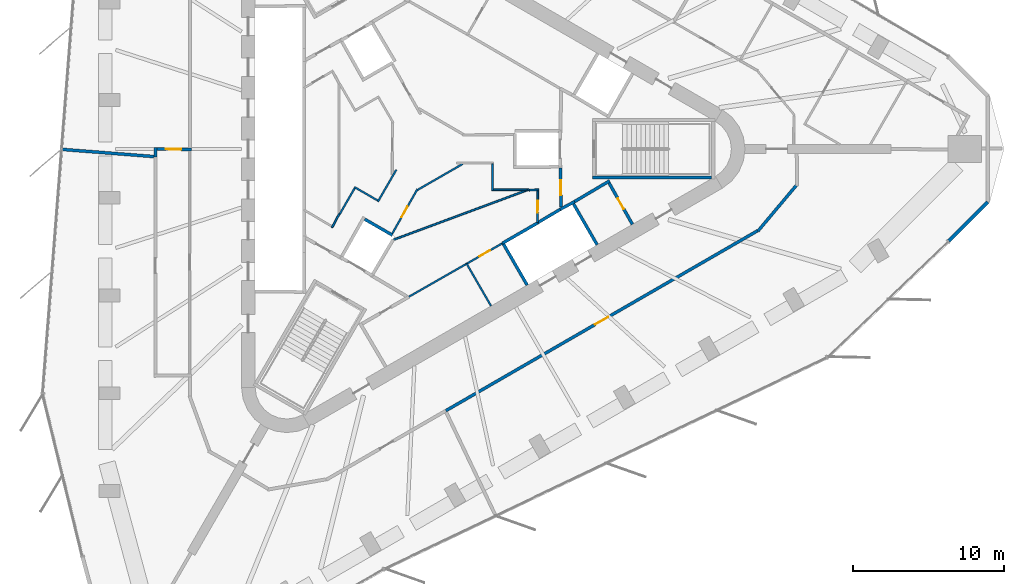
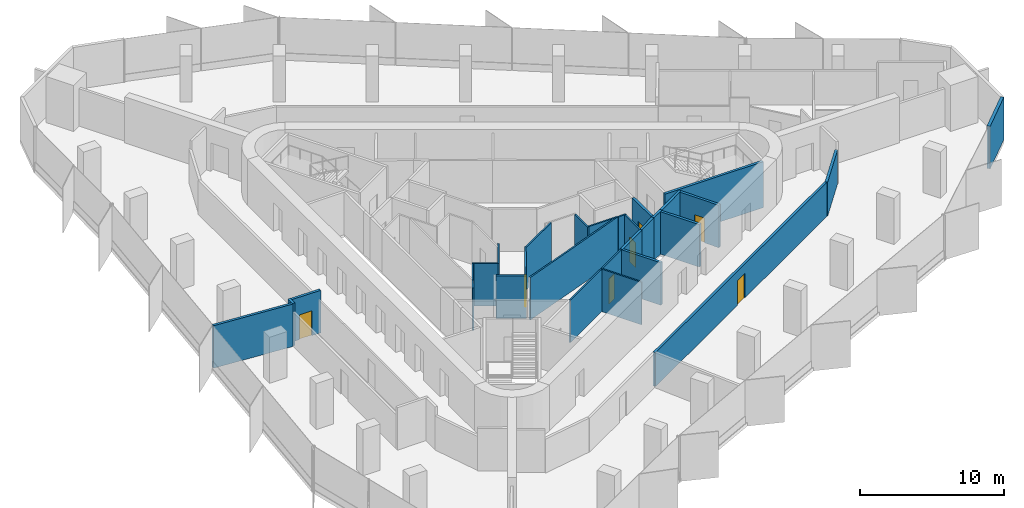
# One storey, part 9 of 14: 29 walls, 7 doors, 7 openings.
"""IFC4 building model written with IfcOpenShell, lengths in metres."""

from ifc_helpers import new_model, si_unit, direction, frame, frame_2d, origin, place, context, subcontext, project, spatial, rectangle, extrude, material, layer, layer_set, type_object, element, fill, save


model = new_model("IFC4")

# Units and contexts
model_context = context("Model", 3, precision=1e-05, world=origin(), true_north=direction((0.0, 1.0)))
body_context = subcontext(model_context, "Body", "Model", "MODEL_VIEW")
ifc_project = project(units=[si_unit("LENGTHUNIT", "METRE"), si_unit("AREAUNIT", "SQUARE_METRE"), si_unit("VOLUMEUNIT", "CUBIC_METRE"), si_unit("PLANEANGLEUNIT", "RADIAN"), si_unit("MASSUNIT", "GRAM", prefix="KILO")], contexts=[model_context])

# Site, building, storey
site_placement = place(None, origin())
site = spatial("IfcSite", under=ifc_project, at=site_placement, CompositionType="ELEMENT")
building_placement = place(site_placement, origin())
building = spatial("IfcBuilding", under=site, at=building_placement, Name="Tanit Gate Tower", CompositionType="ELEMENT")
storey_placement = place(building_placement, frame((0.0, 0.0, 298.699951171875)))
storey = spatial("IfcBuildingStorey", under=building, at=storey_placement, Name="L66", CompositionType="ELEMENT", Elevation=298.699951171875)

# Walls
ifc_material_1 = material(Name="Concrete C30/37 with bronze anodised aluminium cladding", Category="concrete")
ifc_layer_1 = layer(ifc_material_1, 0.239990234375)
ifc_layer_set_1 = layer_set([ifc_layer_1], Name="Facade wall bronze clad 240")
wall_type_1 = type_object("IfcWallType", Name="Facade wall bronze clad 240", PredefinedType="SOLIDWALL", material=ifc_layer_set_1)
wall_1_placement = place(storey_placement, frame((34.6767578125, -6.097900390625, 0.0), z_axis=(0.0, 0.0, 1.0), x_axis=(0.707106781187, 0.707106781187, 0.0)))
element("IfcWall", 1, at=wall_1_placement, inside=storey, type_object=wall_type_1, Name="Bronze-clad facade wall L66 E.arc1", PredefinedType="SOLIDWALL", context=body_context, shape_type="SweptSolid", body=[
    extrude(rectangle(XDim=3.66259765625, YDim=0.239990234375, at=frame_2d((1.831298828125, 0.0))), origin(), (0.0, 0.0, 1.0), 3.60009765625),
])
ifc_material_2 = material(Name="Fire-rated gypsum board partition")
ifc_layer_2 = layer(ifc_material_2, 0.199951171875)
ifc_layer_set_2 = layer_set([ifc_layer_2], Name="INT-WALL-COMPARTMENT")
wall_type_2 = type_object("IfcWallType", Name="INT-WALL-COMPARTMENT", PredefinedType="PARTITIONING", material=ifc_layer_set_2)
wall_2_placement = place(storey_placement, frame((12.244873046875, -2.10888671875, 0.0), z_axis=(0.0, 0.0, 1.0), x_axis=(-0.860414880418, -0.509594185166, 0.0)))
element("IfcWall", 2, at=wall_2_placement, inside=storey, type_object=wall_type_2, Name="Wall Compartment W057", PredefinedType="PARTITIONING", context=body_context, shape_type="SweptSolid", body=[
    extrude(rectangle(XDim=2.7001953125, YDim=0.199951171875, at=frame_2d((1.35009765625, 0.0))), origin(), (0.0, 0.0, 1.0), 3.60009765625),
])

# Wall, opening, door
wall_3_placement = place(storey_placement, frame((13.758056640625, -4.989501953125, 0.0), z_axis=(0.0, 0.0, 1.0), x_axis=(-0.491993409184, 0.87059892334, 0.0)))
wall_3 = element("IfcWall", 3, at=wall_3_placement, inside=storey, type_object=wall_type_2, Name="Wall Compartment W058", PredefinedType="PARTITIONING", context=body_context, shape_type="SweptSolid", body=[
    extrude(rectangle(XDim=3.150146484375, YDim=0.199951171875, at=frame_2d((1.5751953125, 0.0))), origin(), (0.0, 0.0, 1.0), 3.60009765625),
])
opening_1_placement = place(wall_3_placement, frame((1.175048828125, 0.0, 0.0)))
opening_1 = element("IfcOpeningElement", 4, at=opening_1_placement, cuts=wall_3, Name="Opening R08-S18-20", PredefinedType="OPENING", context=body_context, shape_type="SweptSolid", body=[
    extrude(rectangle(XDim=0.800048828125, YDim=2.10009765625, at=frame_2d((0.39990234375, 1.050048828125))), frame((0.0, 0.10986328125, 0.0), z_axis=(0.0, -1.0, 0.0), x_axis=(1.0, 0.0, 0.0)), (0.0, 0.0, 1.0), 0.219970703125),
])
ifc_material_3 = material(Name="Timber door leaf", Category="wood")
door_type_1 = type_object("IfcDoorType", Name="INT-DOOR-RISER-800", OperationType="NOTDEFINED", PredefinedType="USERDEFINED", material=ifc_material_3)
door_1_placement = place(opening_1_placement, origin())
door_1 = element("IfcDoor", 5, at=door_1_placement, inside=storey, type_object=door_type_1, Name="Door R08-S18-20", ObjectType="FIRE DOOR", OperationType="SINGLE_SWING_RIGHT", OverallHeight=2.10009765625, OverallWidth=0.800048828125, PredefinedType="USERDEFINED", context=body_context, shape_type="SweptSolid", body=[
    extrude(rectangle(XDim=0.800048828125, YDim=2.10009765625, at=frame_2d((0.39990234375, 1.050048828125))), frame((0.0, 0.02490234375, 0.0), z_axis=(0.0, -1.0, 0.0), x_axis=(1.0, 0.0, 0.0)), (0.0, 0.0, 1.0), 0.050048828125),
])
fill(opening_1, door_1)

wall_4_placement = place(storey_placement, frame((9.02880859375, -3.850830078125, 0.0), z_axis=(0.0, 0.0, 1.0), x_axis=(-0.010783593937, 0.99994185536, 0.0)))
wall_4 = element("IfcWall", 6, at=wall_4_placement, inside=storey, type_object=wall_type_2, Name="Wall Compartment W060", PredefinedType="PARTITIONING", context=body_context, shape_type="SweptSolid", body=[
    extrude(rectangle(XDim=2.5810546875, YDim=0.199951171875, at=frame_2d((1.29052734375, 0.0))), origin(), (0.0, 0.0, 1.0), 3.60009765625),
])
opening_2_placement = place(wall_4_placement, frame((0.79052734375, 0.0, 0.0)))
opening_2 = element("IfcOpeningElement", 7, at=opening_2_placement, cuts=wall_4, Name="Opening F10-S18-02", PredefinedType="OPENING", context=body_context, shape_type="SweptSolid", body=[
    extrude(rectangle(XDim=1.0, YDim=2.10009765625, at=frame_2d((0.5, 1.050048828125))), frame((0.0, 0.10986328125, 0.0), z_axis=(0.0, -1.0, 0.0), x_axis=(1.0, 0.0, 0.0)), (0.0, 0.0, 1.0), 0.219970703125),
])
ifc_material_4 = material(Name="Fire-rated steel door leaf", Category="steel")
door_type_2 = type_object("IfcDoorType", Name="INT-DOOR-FIRE-1000", OperationType="NOTDEFINED", PredefinedType="USERDEFINED", material=ifc_material_4)
door_2_placement = place(opening_2_placement, origin())
door_2 = element("IfcDoor", 8, at=door_2_placement, inside=storey, type_object=door_type_2, Name="Door F10-S18-02", ObjectType="FIRE DOOR", OperationType="SINGLE_SWING_RIGHT", OverallHeight=2.10009765625, OverallWidth=1.0, PredefinedType="USERDEFINED", context=body_context, shape_type="SweptSolid", body=[
    extrude(rectangle(XDim=1.0, YDim=2.10009765625, at=frame_2d((0.5, 1.050048828125))), frame((0.0, 0.02490234375, 0.0), z_axis=(0.0, -1.0, 0.0), x_axis=(1.0, 0.0, 0.0)), (0.0, 0.0, 1.0), 0.050048828125),
])
fill(opening_2, door_2)

# Wall
wall_5_placement = place(storey_placement, frame((-17.800048828125, 0.10009765625, 0.0), z_axis=(0.0, 0.0, 1.0), x_axis=(0.0, -1.0, 0.0)))
element("IfcWall", 9, at=wall_5_placement, inside=storey, type_object=wall_type_2, Name="Wall Compartment W091", PredefinedType="PARTITIONING", context=body_context, shape_type="SweptSolid", body=[
    extrude(rectangle(XDim=0.635009765625, YDim=0.199951171875, at=frame_2d((0.3173828125, 0.0))), origin(), (0.0, 0.0, 1.0), 3.60009765625),
])

# Wall, opening, door
wall_6_placement = place(storey_placement, frame((-15.39990234375, -0.03125, 0.0), z_axis=(0.0, 0.0, 1.0), x_axis=(-0.999914782125, 0.013054826261, 0.0)))
wall_6 = element("IfcWall", 10, at=wall_6_placement, inside=storey, type_object=wall_type_2, Name="Wall Compartment W092", PredefinedType="PARTITIONING", context=body_context, shape_type="SweptSolid", body=[
    extrude(rectangle(XDim=2.30029296875, YDim=0.199951171875, at=frame_2d((1.150146484375, 0.0))), origin(), (0.0, 0.0, 1.0), 3.60009765625),
])
opening_3_placement = place(wall_6_placement, frame((0.7001953125, 0.0, 0.0)))
opening_3 = element("IfcOpeningElement", 11, at=opening_3_placement, cuts=wall_6, Name="Opening F10-S18-27", PredefinedType="OPENING", context=body_context, shape_type="SweptSolid", body=[
    extrude(rectangle(XDim=1.0, YDim=2.10009765625, at=frame_2d((0.5, 1.050048828125))), frame((0.0, 0.10986328125, 0.0), z_axis=(0.0, -1.0, 0.0), x_axis=(1.0, 0.0, 0.0)), (0.0, 0.0, 1.0), 0.219970703125),
])
door_3_placement = place(opening_3_placement, origin())
door_3 = element("IfcDoor", 12, at=door_3_placement, inside=storey, type_object=door_type_2, Name="Door F10-S18-27", ObjectType="FIRE DOOR", OperationType="SINGLE_SWING_RIGHT", OverallHeight=2.10009765625, OverallWidth=1.0, PredefinedType="USERDEFINED", context=body_context, shape_type="SweptSolid", body=[
    extrude(rectangle(XDim=1.0, YDim=2.10009765625, at=frame_2d((0.5, 1.050048828125))), frame((0.0, 0.02490234375, 0.0), z_axis=(0.0, -1.0, 0.0), x_axis=(1.0, 0.0, 0.0)), (0.0, 0.0, 1.0), 0.050048828125),
])
fill(opening_3, door_3)

# Wall
wall_7_placement = place(storey_placement, frame((22.05419921875, -5.435302734375, 0.0), z_axis=(0.0, 0.0, 1.0), x_axis=(0.642790979996, 0.766041615081, 0.0)))
element("IfcWall", 13, at=wall_7_placement, inside=storey, type_object=wall_type_2, Name="Wall Compartment W107", PredefinedType="PARTITIONING", context=body_context, shape_type="SweptSolid", body=[
    extrude(rectangle(XDim=3.9833984375, YDim=0.199951171875, at=frame_2d((1.99169921875, 0.0))), origin(), (0.0, 0.0, 1.0), 2.880126953125),
])

# Wall, opening, door
wall_8_placement = place(storey_placement, frame((1.415283203125, -17.311767578125, 0.0), z_axis=(0.0, 0.0, 1.0), x_axis=(0.866022488339, 0.500005049665, 0.0)))
wall_8 = element("IfcWall", 14, at=wall_8_placement, inside=storey, type_object=wall_type_2, Name="Wall Compartment W108", PredefinedType="PARTITIONING", context=body_context, shape_type="SweptSolid", body=[
    extrude(rectangle(XDim=23.805908203125, YDim=0.199951171875, at=frame_2d((11.90283203125, 0.0))), origin(), (0.0, 0.0, 1.0), 2.880126953125),
])
opening_4_placement = place(wall_8_placement, frame((11.40283203125, 0.0, 0.0)))
opening_4 = element("IfcOpeningElement", 15, at=opening_4_placement, cuts=wall_8, Name="Opening F10-S18-29", PredefinedType="OPENING", context=body_context, shape_type="SweptSolid", body=[
    extrude(rectangle(XDim=1.0, YDim=2.10009765625, at=frame_2d((0.5, 1.050048828125))), frame((0.0, 0.10986328125, 0.0), z_axis=(0.0, -1.0, 0.0), x_axis=(1.0, 0.0, 0.0)), (0.0, 0.0, 1.0), 0.219970703125),
])
door_4_placement = place(opening_4_placement, origin())
door_4 = element("IfcDoor", 16, at=door_4_placement, inside=storey, type_object=door_type_2, Name="Door F10-S18-29", ObjectType="FIRE DOOR", OperationType="SINGLE_SWING_LEFT", OverallHeight=2.10009765625, OverallWidth=1.0, PredefinedType="USERDEFINED", context=body_context, shape_type="SweptSolid", body=[
    extrude(rectangle(XDim=1.0, YDim=2.10009765625, at=frame_2d((0.5, 1.050048828125))), frame((0.0, 0.02490234375, 0.0), z_axis=(0.0, -1.0, 0.0), x_axis=(1.0, 0.0, 0.0)), (0.0, 0.0, 1.0), 0.050048828125),
])
fill(opening_4, door_4)

# Walls
wall_9_placement = place(storey_placement, frame((-23.9921875, -0.027587890625, 0.0), z_axis=(0.0, 0.0, 1.0), x_axis=(0.996966889937, -0.077826861489, 0.0)))
element("IfcWall", 17, at=wall_9_placement, inside=storey, type_object=wall_type_2, Name="Wall Compartment W112", PredefinedType="PARTITIONING", context=body_context, shape_type="SweptSolid", body=[
    extrude(rectangle(XDim=6.11083984375, YDim=0.199951171875, at=frame_2d((3.055419921875, 0.0))), origin(), (0.0, 0.0, 1.0), 3.60009765625),
])
ifc_material_5 = material(Name="Gypsum board partition")
ifc_layer_3 = layer(ifc_material_5, 0.1201171875)
ifc_layer_set_3 = layer_set([ifc_layer_3], Name="INT-WALL-PARTITION")
wall_type_3 = type_object("IfcWallType", Name="INT-WALL-PARTITION", PredefinedType="PARTITIONING", material=ifc_layer_set_3)
wall_10_placement = place(storey_placement, frame((4.40478515625, -10.389404296875, 0.0), z_axis=(0.0, 0.0, 1.0), x_axis=(-0.500017246033, 0.866015446554, 0.0)))
element("IfcWall", 18, at=wall_10_placement, inside=storey, type_object=wall_type_3, Name="Wall Partition W052", PredefinedType="PARTITIONING", context=body_context, shape_type="SweptSolid", body=[
    extrude(rectangle(XDim=3.25, YDim=0.1201171875, at=frame_2d((1.625, 0.0))), origin(), (0.0, 0.0, 1.0), 3.60009765625),
])

# Wall, opening, door
wall_11_placement = place(storey_placement, frame((-1.02392578125, -9.771240234375, 0.0), z_axis=(0.0, 0.0, 1.0), x_axis=(0.868110220015, 0.496371479746, 0.0)))
wall_11 = element("IfcWall", 19, at=wall_11_placement, inside=storey, type_object=wall_type_3, Name="Wall Partition W055", PredefinedType="PARTITIONING", context=body_context, shape_type="SweptSolid", body=[
    extrude(rectangle(XDim=7.12255859375, YDim=0.1201171875, at=frame_2d((3.561279296875, 0.0))), origin(), (0.0, 0.0, 1.0), 3.60009765625),
])
opening_5_placement = place(wall_11_placement, frame((5.37255859375, 0.0, 0.0)))
opening_5 = element("IfcOpeningElement", 20, at=opening_5_placement, cuts=wall_11, Name="Opening R08-S18-19", PredefinedType="OPENING", context=body_context, shape_type="SweptSolid", body=[
    extrude(rectangle(XDim=0.800048828125, YDim=2.10009765625, at=frame_2d((0.39990234375, 1.050048828125))), frame((0.0, 0.070068359375, 0.0), z_axis=(0.0, -1.0, 0.0), x_axis=(1.0, 0.0, 0.0)), (0.0, 0.0, 1.0), 0.14013671875),
])
door_5_placement = place(opening_5_placement, origin())
door_5 = element("IfcDoor", 21, at=door_5_placement, inside=storey, type_object=door_type_1, Name="Door R08-S18-19", ObjectType="FIRE DOOR", OperationType="SINGLE_SWING_RIGHT", OverallHeight=2.10009765625, OverallWidth=0.800048828125, PredefinedType="USERDEFINED", context=body_context, shape_type="SweptSolid", body=[
    extrude(rectangle(XDim=0.800048828125, YDim=2.10009765625, at=frame_2d((0.39990234375, 1.050048828125))), frame((0.0, 0.02490234375, 0.0), z_axis=(0.0, -1.0, 0.0), x_axis=(1.0, 0.0, 0.0)), (0.0, 0.0, 1.0), 0.050048828125),
])
fill(opening_5, door_5)

# Wall
wall_12_placement = place(storey_placement, frame((6.9052734375, -2.67919921875, 0.0), z_axis=(0.0, 0.0, 1.0), x_axis=(-0.937260745886, -0.348629164331, 0.0)))
element("IfcWall", 22, at=wall_12_placement, inside=storey, type_object=wall_type_3, Name="Wall Partition W068", PredefinedType="PARTITIONING", context=body_context, shape_type="SweptSolid", body=[
    extrude(rectangle(XDim=9.540771484375, YDim=0.1201171875, at=frame_2d((4.7705078125, 0.0))), origin(), (0.0, 0.0, 1.0), 3.60009765625),
])

# Wall, opening, door
wall_13_placement = place(storey_placement, frame((-0.4658203125, -2.655029296875, 0.0), z_axis=(0.0, 0.0, 1.0), x_axis=(-0.49235580986, -0.870394023703, 0.0)))
wall_13 = element("IfcWall", 23, at=wall_13_placement, inside=storey, type_object=wall_type_3, Name="Wall Partition W069", PredefinedType="PARTITIONING", context=body_context, shape_type="SweptSolid", body=[
    extrude(rectangle(XDim=3.367919921875, YDim=0.1201171875, at=frame_2d((1.68408203125, 0.0))), origin(), (0.0, 0.0, 1.0), 3.60009765625),
])
opening_6_placement = place(wall_13_placement, frame((1.334716796875, 0.0, 0.0)))
opening_6 = element("IfcOpeningElement", 24, at=opening_6_placement, cuts=wall_13, Name="Opening R08-S18-11", PredefinedType="OPENING", context=body_context, shape_type="SweptSolid", body=[
    extrude(rectangle(XDim=0.800048828125, YDim=2.10009765625, at=frame_2d((0.39990234375, 1.050048828125))), frame((0.0, 0.070068359375, 0.0), z_axis=(0.0, -1.0, 0.0), x_axis=(1.0, 0.0, 0.0)), (0.0, 0.0, 1.0), 0.14013671875),
])
door_6_placement = place(opening_6_placement, origin())
door_6 = element("IfcDoor", 25, at=door_6_placement, inside=storey, type_object=door_type_1, Name="Door R08-S18-11", ObjectType="FIRE DOOR", OperationType="SINGLE_SWING_RIGHT", OverallHeight=2.10009765625, OverallWidth=0.800048828125, PredefinedType="USERDEFINED", context=body_context, shape_type="SweptSolid", body=[
    extrude(rectangle(XDim=0.800048828125, YDim=2.10009765625, at=frame_2d((0.39990234375, 1.050048828125))), frame((0.0, 0.02490234375, 0.0), z_axis=(0.0, -1.0, 0.0), x_axis=(1.0, 0.0, 0.0)), (0.0, 0.0, 1.0), 0.050048828125),
])
fill(opening_6, door_6)

# Walls
wall_14_placement = place(storey_placement, frame((2.53857421875, -0.985107421875, 0.0), z_axis=(0.0, 0.0, 1.0), x_axis=(-0.866657135765, -0.498904208268, 0.0)))
element("IfcWall", 26, at=wall_14_placement, inside=storey, type_object=wall_type_3, Name="Wall Partition W070", PredefinedType="PARTITIONING", context=body_context, shape_type="SweptSolid", body=[
    extrude(rectangle(XDim=3.505126953125, YDim=0.1201171875, at=frame_2d((1.75244140625, 0.0))), origin(), (0.0, 0.0, 1.0), 3.60009765625),
])
wall_15_placement = place(storey_placement, frame((4.5, -2.760009765625, 0.0), z_axis=(0.0, 0.0, 1.0), x_axis=(0.0, 1.0, 0.0)))
element("IfcWall", 27, at=wall_15_placement, inside=storey, type_object=wall_type_3, Name="Wall Partition W072", PredefinedType="PARTITIONING", context=body_context, shape_type="SweptSolid", body=[
    extrude(rectangle(XDim=1.77490234375, YDim=0.1201171875, at=frame_2d((0.887451171875, 0.0))), origin(), (0.0, 0.0, 1.0), 3.60009765625),
])
wall_16_placement = place(storey_placement, frame((6.7890625, -2.699951171875, 0.0), z_axis=(0.0, 0.0, 1.0), x_axis=(-1.0, 0.0, 0.0)))
element("IfcWall", 28, at=wall_16_placement, inside=storey, type_object=wall_type_3, Name="Wall Partition W073", PredefinedType="PARTITIONING", context=body_context, shape_type="SweptSolid", body=[
    extrude(rectangle(XDim=2.22900390625, YDim=0.1201171875, at=frame_2d((1.114501953125, 0.0))), origin(), (0.0, 0.0, 1.0), 3.60009765625),
])
wall_17_placement = place(storey_placement, frame((7.563232421875, -2.697509765625, 0.0), z_axis=(0.0, 0.0, 1.0), x_axis=(-0.999184595054, -0.040375054253, 0.0)))
element("IfcWall", 29, at=wall_17_placement, inside=storey, type_object=wall_type_3, Name="Wall Partition W074", PredefinedType="PARTITIONING", context=body_context, shape_type="SweptSolid", body=[
    extrude(rectangle(XDim=0.622802734375, YDim=0.1201171875, at=frame_2d((0.3115234375, 0.0))), origin(), (0.0, 0.0, 1.0), 3.60009765625),
])

# Wall, opening, door
wall_18_placement = place(storey_placement, frame((7.474609375, -4.864501953125, 0.0), z_axis=(0.0, 0.0, 1.0), x_axis=(0.011716133148, 0.999931363757, 0.0)))
wall_18 = element("IfcWall", 30, at=wall_18_placement, inside=storey, type_object=wall_type_3, Name="Wall Partition W075", PredefinedType="PARTITIONING", context=body_context, shape_type="SweptSolid", body=[
    extrude(rectangle(XDim=2.104736328125, YDim=0.1201171875, at=frame_2d((1.05224609375, 0.0))), origin(), (0.0, 0.0, 1.0), 3.60009765625),
])
opening_7_placement = place(wall_18_placement, frame((0.65234375, 0.0, 0.0)))
opening_7 = element("IfcOpeningElement", 31, at=opening_7_placement, cuts=wall_18, Name="Opening R08-S18-12", PredefinedType="OPENING", context=body_context, shape_type="SweptSolid", body=[
    extrude(rectangle(XDim=0.800048828125, YDim=2.10009765625, at=frame_2d((0.39990234375, 1.050048828125))), frame((0.0, 0.070068359375, 0.0), z_axis=(0.0, -1.0, 0.0), x_axis=(1.0, 0.0, 0.0)), (0.0, 0.0, 1.0), 0.14013671875),
])
door_7_placement = place(opening_7_placement, origin())
door_7 = element("IfcDoor", 32, at=door_7_placement, inside=storey, type_object=door_type_1, Name="Door R08-S18-12", ObjectType="FIRE DOOR", OperationType="SINGLE_SWING_LEFT", OverallHeight=2.10009765625, OverallWidth=0.800048828125, PredefinedType="USERDEFINED", context=body_context, shape_type="SweptSolid", body=[
    extrude(rectangle(XDim=0.800048828125, YDim=2.10009765625, at=frame_2d((0.39990234375, 1.050048828125))), frame((0.0, 0.02490234375, 0.0), z_axis=(0.0, -1.0, 0.0), x_axis=(1.0, 0.0, 0.0)), (0.0, 0.0, 1.0), 0.050048828125),
])
fill(opening_7, door_7)

# Walls
wall_19_placement = place(storey_placement, frame((-6.11669921875, -5.197998046875, 0.0), z_axis=(0.0, 0.0, 1.0), x_axis=(0.473067931341, 0.881025954406, 0.0)))
element("IfcWall", 33, at=wall_19_placement, inside=storey, type_object=wall_type_3, Name="Wall Partition W077", PredefinedType="PARTITIONING", context=body_context, shape_type="SweptSolid", body=[
    extrude(rectangle(XDim=1.01611328125, YDim=0.1201171875, at=frame_2d((0.508056640625, 0.0))), origin(), (0.0, 0.0, 1.0), 3.60009765625),
])
wall_20_placement = place(storey_placement, frame((-3.0810546875, -3.486572265625, 0.0), z_axis=(0.0, 0.0, 1.0), x_axis=(0.499962263673, 0.866047189767, 0.0)))
element("IfcWall", 34, at=wall_20_placement, inside=storey, type_object=wall_type_3, Name="Wall Partition W085", PredefinedType="PARTITIONING", context=body_context, shape_type="SweptSolid", body=[
    extrude(rectangle(XDim=2.438232421875, YDim=0.1201171875, at=frame_2d((1.21923828125, 0.0))), origin(), (0.0, 0.0, 1.0), 3.60009765625),
])
wall_21_placement = place(storey_placement, frame((-4.64013671875, -2.51708984375, 0.0), z_axis=(0.0, 0.0, 1.0), x_axis=(0.866025242659, -0.500000279077, 0.0)))
element("IfcWall", 35, at=wall_21_placement, inside=storey, type_object=wall_type_3, Name="Wall Partition W086", PredefinedType="PARTITIONING", context=body_context, shape_type="SweptSolid", body=[
    extrude(rectangle(XDim=1.77490234375, YDim=0.1201171875, at=frame_2d((0.887451171875, 0.0))), origin(), (0.0, 0.0, 1.0), 3.60009765625),
])
wall_22_placement = place(storey_placement, frame((-5.635986328125, -4.361572265625, 0.0), z_axis=(0.0, 0.0, 1.0), x_axis=(0.500099717341, 0.865967824295, 0.0)))
element("IfcWall", 36, at=wall_22_placement, inside=storey, type_object=wall_type_3, Name="Wall Partition W087", PredefinedType="PARTITIONING", context=body_context, shape_type="SweptSolid", body=[
    extrude(rectangle(XDim=2.03515625, YDim=0.1201171875, at=frame_2d((1.017578125, 0.0))), origin(), (0.0, 0.0, 1.0), 3.60009765625),
])
ifc_material_6 = material(Name="Gypsum shaft wall system")
ifc_layer_4 = layer(ifc_material_6, 0.199951171875)
ifc_layer_set_4 = layer_set([ifc_layer_4], Name="INT-WALL-SHAFT")
wall_type_4 = type_object("IfcWallType", Name="INT-WALL-SHAFT", PredefinedType="PLUMBINGWALL", material=ifc_layer_set_4)
wall_23_placement = place(storey_placement, frame((6.795166015625, -9.009521484375, 0.0), z_axis=(0.0, 0.0, 1.0), x_axis=(-0.499984717929, 0.866034226713, 0.0)))
element("IfcWall", 37, at=wall_23_placement, inside=storey, type_object=wall_type_4, Name="Wall Shaft W015", PredefinedType="PLUMBINGWALL", context=body_context, shape_type="SweptSolid", body=[
    extrude(rectangle(XDim=3.25, YDim=0.199951171875, at=frame_2d((1.625, 0.0))), origin(), (0.0, 0.0, 1.0), 3.60009765625),
])
wall_24_placement = place(storey_placement, frame((5.1591796875, -6.23583984375, 0.0), z_axis=(0.0, 0.0, 1.0), x_axis=(0.866036505625, 0.499980770555, 0.0)))
element("IfcWall", 38, at=wall_24_placement, inside=storey, type_object=wall_type_4, Name="Wall Shaft W016", PredefinedType="PLUMBINGWALL", context=body_context, shape_type="SweptSolid", body=[
    extrude(rectangle(XDim=2.69970703125, YDim=0.199951171875, at=frame_2d((1.349853515625, 0.0))), origin(), (0.0, 0.0, 1.0), 3.60009765625),
])
wall_25_placement = place(storey_placement, frame((9.794677734375, -3.52490234375, 0.0), z_axis=(0.0, 0.0, 1.0), x_axis=(0.499984717929, -0.866034226713, 0.0)))
element("IfcWall", 39, at=wall_25_placement, inside=storey, type_object=wall_type_4, Name="Wall Shaft W017", PredefinedType="PLUMBINGWALL", context=body_context, shape_type="SweptSolid", body=[
    extrude(rectangle(XDim=3.25, YDim=0.199951171875, at=frame_2d((1.625, 0.0))), origin(), (0.0, 0.0, 1.0), 3.60009765625),
])
wall_26_placement = place(storey_placement, frame((8.97412109375, -3.998779296875, 0.0), z_axis=(0.0, 0.0, 1.0), x_axis=(0.880907015104, 0.473289373154, 0.0)))
element("IfcWall", 40, at=wall_26_placement, inside=storey, type_object=wall_type_4, Name="Wall Shaft W018", PredefinedType="PLUMBINGWALL", context=body_context, shape_type="SweptSolid", body=[
    extrude(rectangle(XDim=1.078125, YDim=0.199951171875, at=frame_2d((0.5390625, 0.0))), origin(), (0.0, 0.0, 1.0), 3.60009765625),
])
wall_27_placement = place(storey_placement, frame((7.4931640625, -4.87841796875, 0.0), z_axis=(0.0, 0.0, 1.0), x_axis=(0.859981807212, 0.510324691999, 0.0)))
element("IfcWall", 41, at=wall_27_placement, inside=storey, type_object=wall_type_4, Name="Wall Shaft W019", PredefinedType="PLUMBINGWALL", context=body_context, shape_type="SweptSolid", body=[
    extrude(rectangle(XDim=1.8447265625, YDim=0.199951171875, at=frame_2d((0.92236328125, 0.0))), origin(), (0.0, 0.0, 1.0), 3.60009765625),
])
wall_28_placement = place(storey_placement, frame((-3.95263671875, -4.646240234375, 0.0), z_axis=(0.0, 0.0, 1.0), x_axis=(0.866060616833, -0.499939004251, 0.0)))
element("IfcWall", 42, at=wall_28_placement, inside=storey, type_object=wall_type_4, Name="Wall Shaft W043", PredefinedType="PLUMBINGWALL", context=body_context, shape_type="SweptSolid", body=[
    extrude(rectangle(XDim=2.114501953125, YDim=0.199951171875, at=frame_2d((1.05712890625, 0.0))), origin(), (0.0, 0.0, 1.0), 3.60009765625),
])
ifc_material_7 = material(Name="Concrete C40/50", Category="concrete")
ifc_layer_5 = layer(ifc_material_7, 0.199951171875)
ifc_layer_set_5 = layer_set([ifc_layer_5], Name="INT-WALL-STAIR")
wall_type_5 = type_object("IfcWallType", Name="INT-WALL-STAIR", PredefinedType="SHEAR", material=ifc_layer_set_5)
wall_29_placement = place(storey_placement, frame((11.10009765625, -1.89990234375, -0.300048828125), z_axis=(0.0, 0.0, 1.0), x_axis=(1.0, 0.0, 0.0)))
element("IfcWall", 43, at=wall_29_placement, inside=storey, type_object=wall_type_5, Name="Wall Stair W022", PredefinedType="SHEAR", context=body_context, shape_type="SweptSolid", body=[
    extrude(rectangle(XDim=7.89990234375, YDim=0.199951171875, at=frame_2d((3.949951171875, 0.0))), origin(), (0.0, 0.0, 1.0), 3.900146484375),
])

save(model, "model.ifc")
